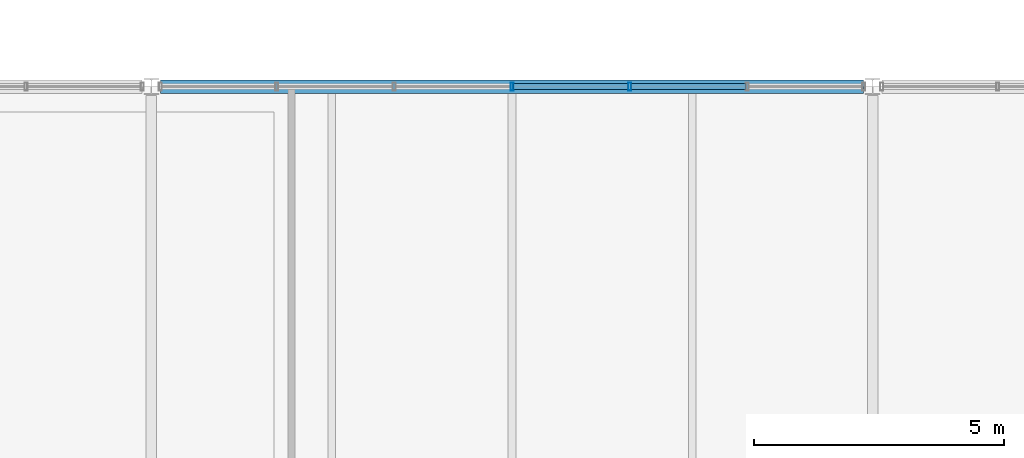
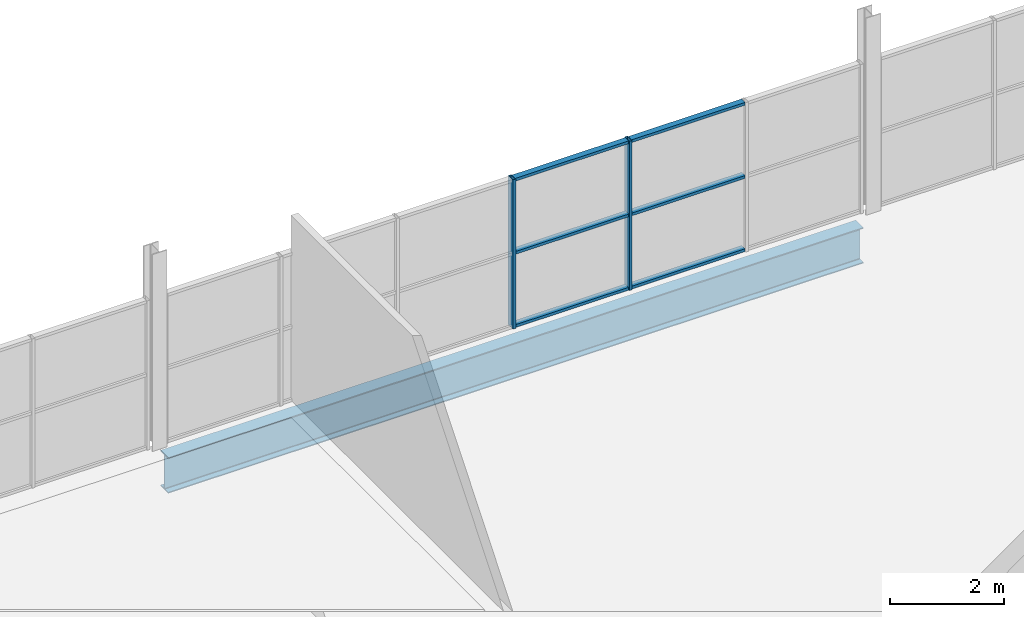
# One storey, part 53 of 93: 8 members, 1 beam, 1 element without a shape of its own.
"""IFC4 building model written with IfcOpenShell, lengths in metres."""

import ifcopenshell
import ifcopenshell.guid

model = None  # the IFC model being written
_history = None  # IfcOwnerHistory: only IFC2X3 demands one
_inside = {}  # id of a spatial element -> (the spatial element, [elements in it])
_under = {}  # id of a project, library or spatial element -> (it, [spatial elements below it])
_declared = {}  # id of a project -> (the project, [libraries it declares])
_typed = {}  # id of a type object -> (the type object, [elements of that type])
_made_of = {}  # id of a material, layer set ... -> (it, [elements and type objects made of it])


def new_model(schema):
    """Start an empty IFC model of exactly this schema.

    Asked for "IFC4X3", IfcOpenShell would pick the latest addendum, in which some entities
    have other attributes; the version numbers below select the first issue.
    IFC2X3 requires an IfcOwnerHistory on every rooted entity: one is made here for all.
    """
    global model, _history
    if schema == "IFC4X3":
        model = ifcopenshell.file(schema_version=(4, 3, 0, 0))
    else:
        model = ifcopenshell.file(schema=schema)
    _inside.clear()
    _under.clear()
    _declared.clear()
    _typed.clear()
    _made_of.clear()
    _history = None
    if model.schema == "IFC2X3":
        org = make("IfcOrganization", Name="unknown")
        user = make(
            "IfcPersonAndOrganization",
            ThePerson=make("IfcPerson", FamilyName="unknown"),
            TheOrganization=org,
        )
        app = make(
            "IfcApplication",
            ApplicationDeveloper=org,
            Version="unknown",
            ApplicationFullName="unknown",
            ApplicationIdentifier="unknown",
        )
        _history = make(
            "IfcOwnerHistory",
            OwningUser=user,
            OwningApplication=app,
            ChangeAction="ADDED",
            CreationDate=0,
        )
    return model


def make(cls, **values):
    """One entity of the class cls with the attributes given. An attribute that is None is left unset."""
    return model.create_entity(
        cls, **{name: value for name, value in values.items() if value is not None}
    )


def rooted(cls, **values):
    """An entity with a GlobalId (a new one), such as an element, a storey or a relation."""
    return make(cls, GlobalId=ifcopenshell.guid.new(), OwnerHistory=_history, **values)


def si_unit(unit_type, name, prefix=None):
    """IfcSIUnit, for example si_unit("LENGTHUNIT", "METRE", prefix="MILLI")."""
    return make("IfcSIUnit", UnitType=unit_type, Prefix=prefix, Name=name)


def assignment(units):
    """IfcUnitAssignment: the units of a project."""
    return None if units is None else make("IfcUnitAssignment", Units=units)


def point(xyz):
    """IfcCartesianPoint."""
    return None if xyz is None else make("IfcCartesianPoint", Coordinates=xyz)


def direction(xyz):
    """IfcDirection."""
    return None if xyz is None else make("IfcDirection", DirectionRatios=xyz)


def frame(location, z_axis=None, x_axis=None):
    """IfcAxis2Placement3D, a coordinate frame: its origin and axes. An axis left out is left unset."""
    return make(
        "IfcAxis2Placement3D",
        Location=point(location),
        Axis=direction(z_axis),
        RefDirection=direction(x_axis),
    )


def frame_2d(location, x_axis=None):
    """IfcAxis2Placement2D, a coordinate frame in the plane: its origin and x axis."""
    return make(
        "IfcAxis2Placement2D", Location=point(location), RefDirection=direction(x_axis)
    )


def origin():
    """The frame at (0, 0, 0) with its axes left unset."""
    return frame((0.0, 0.0, 0.0))


def origin_2d():
    """The frame at (0, 0) in the plane with its x axis left unset."""
    return frame_2d((0.0, 0.0))


def place(relative_to, where):
    """IfcLocalPlacement: puts the frame where relative to a parent placement (None: the world)."""
    return make(
        "IfcLocalPlacement", PlacementRelTo=relative_to, RelativePlacement=where
    )


def context(
    kind, dimensions, precision=None, world=None, true_north=None, identifier=None
):
    """IfcGeometricRepresentationContext, for example the 3D "Model" context."""
    return make(
        "IfcGeometricRepresentationContext",
        ContextIdentifier=identifier,
        ContextType=kind,
        CoordinateSpaceDimension=dimensions,
        Precision=precision,
        WorldCoordinateSystem=world,
        TrueNorth=true_north,
    )


def subcontext(parent, identifier, kind, view, scale=None):
    """IfcGeometricRepresentationSubContext, for example "Body" below "Model"."""
    return make(
        "IfcGeometricRepresentationSubContext",
        ContextIdentifier=identifier,
        ContextType=kind,
        ParentContext=parent,
        TargetScale=scale,
        TargetView=view,
    )


def project(units=None, contexts=None):
    """IfcProject with its units and contexts."""
    return rooted(
        "IfcProject",
        Name="project",
        RepresentationContexts=contexts,
        UnitsInContext=assignment(units),
    )


def spatial(cls, under=None, at=None, **own):
    """A site, building, storey or space (cls), placed at a placement, below another one or the project."""
    s = rooted(cls, ObjectPlacement=at, **own)
    if under is not None:
        _under.setdefault(under.id(), (under, []))[1].append(s)
    return s


def profile(cls, at=None, kind="AREA", **sizes):
    """A parametric profile (cls). Its sizes go by their IFC names, for example OverallWidth=200.0."""
    return make(cls, ProfileType=kind, Position=at, **sizes)


def hollow_rectangle(**sizes):
    """IfcRectangleHollowProfileDef."""
    return profile("IfcRectangleHollowProfileDef", **sizes)


def i_section(**sizes):
    """IfcIShapeProfileDef."""
    return profile("IfcIShapeProfileDef", **sizes)


def extrude(swept, where, along, depth):
    """IfcExtrudedAreaSolid: the profile swept, set in the frame where, extruded along a direction by depth."""
    return make(
        "IfcExtrudedAreaSolid",
        SweptArea=swept,
        Position=where,
        ExtrudedDirection=direction(along),
        Depth=depth,
    )


def shape(context_of_items, identifier, shape_type, items):
    """IfcShapeRepresentation: the items that make up one representation, for example the "Body"."""
    return make(
        "IfcShapeRepresentation",
        ContextOfItems=context_of_items,
        RepresentationIdentifier=identifier,
        RepresentationType=shape_type,
        Items=items,
    )


def material(Name=None, Category=None):
    """IfcMaterial."""
    return make("IfcMaterial", Name=Name, Category=Category)


def material_profile(
    of_material, cross_section, Name=None, Category=None, Priority=None
):
    """IfcMaterialProfile: a cross section and its material."""
    return make(
        "IfcMaterialProfile",
        Name=Name,
        Material=of_material,
        Profile=cross_section,
        Priority=Priority,
        Category=Category,
    )


def profile_set(profiles, Name=None, composite=None):
    """IfcMaterialProfileSet."""
    return make(
        "IfcMaterialProfileSet",
        Name=Name,
        MaterialProfiles=profiles,
        CompositeProfile=composite,
    )


def made_of(thing, what):
    """Note that an element or type object is made of a material, layer set ...; save() writes the relation."""
    if what is not None:
        _made_of.setdefault(what.id(), (what, []))[1].append(thing)
    return thing


def type_object(cls, material=None, **own):
    """A type object (cls), such as IfcWallType, which elements share."""
    return made_of(rooted(cls, **own), material)


def element(
    cls,
    number,
    at=None,
    inside=None,
    cuts=None,
    type_object=None,
    material=None,
    context=None,
    identifier="Body",
    shape_type=None,
    held_by="IfcProductDefinitionShape",
    body=None,
    shapes=None,
    **own,
):
    """One element of the class cls, such as IfcWall. Its Tag is "e" and its number.

    at: its placement. inside: the storey or other place that contains it. cuts: it is an
    opening in that element (IfcRelVoidsElement). A single representation is given by context,
    identifier, shape_type and body (its items); several are given by shapes. held_by: the class
    of the entity that holds the representations. save() writes the other relations.
    """
    e = rooted(cls, Tag="e%d" % number, ObjectPlacement=at, **own)
    if body is not None:
        shapes = [shape(context, identifier, shape_type, body)]
    if shapes is not None:
        e.Representation = make(held_by, Representations=shapes)
    if inside is not None:
        _inside.setdefault(inside.id(), (inside, []))[1].append(e)
    if cuts is not None:
        rooted(
            "IfcRelVoidsElement", RelatingBuildingElement=cuts, RelatedOpeningElement=e
        )
    if type_object is not None:
        _typed.setdefault(type_object.id(), (type_object, []))[1].append(e)
    return made_of(e, material)


def aggregate(whole, parts):
    """IfcRelAggregates: a whole, such as a stair, and the parts it consists of."""
    return rooted("IfcRelAggregates", RelatingObject=whole, RelatedObjects=parts)


def save(model, path):
    """Write the relations noted so far, then the file.

    IfcRelAggregates (storeys below a building ...), IfcRelContainedInSpatialStructure (elements
    in a storey), IfcRelDefinesByType, IfcRelAssociatesMaterial and IfcRelDeclares: one each for
    every whole, place, type object, material and project.
    """
    for whole, parts in _under.values():
        aggregate(whole, parts)
    for where, things in _inside.values():
        rooted(
            "IfcRelContainedInSpatialStructure",
            RelatedElements=things,
            RelatingStructure=where,
        )
    for kind, things in _typed.values():
        rooted("IfcRelDefinesByType", RelatedObjects=things, RelatingType=kind)
    for what, things in _made_of.values():
        rooted("IfcRelAssociatesMaterial", RelatedObjects=things, RelatingMaterial=what)
    for by, libraries in _declared.values():
        rooted("IfcRelDeclares", RelatingContext=by, RelatedDefinitions=libraries)
    model.write(path)


model = new_model("IFC4")

# Units and contexts
model_context = context("Model", 3, precision=1e-05, world=origin(), true_north=direction((0.0, 1.0)))
body_context = subcontext(model_context, "Body", "Model", "MODEL_VIEW")
ifc_project = project(units=[si_unit("LENGTHUNIT", "METRE"), si_unit("AREAUNIT", "SQUARE_METRE"), si_unit("VOLUMEUNIT", "CUBIC_METRE"), si_unit("PLANEANGLEUNIT", "RADIAN"), si_unit("MASSUNIT", "GRAM", prefix="KILO"), si_unit("THERMODYNAMICTEMPERATUREUNIT", "KELVIN")], contexts=[model_context])

# Site, building, storey
site_placement = place(None, origin())
site = spatial("IfcSite", under=ifc_project, at=site_placement, CompositionType="ELEMENT")
building_placement = place(site_placement, origin())
building = spatial("IfcBuilding", under=site, at=building_placement, Name="Nduvali Passage Aquatics Centre", CompositionType="ELEMENT")
storey_placement = place(building_placement, frame((0.0, 0.0, 9.0)))
storey = spatial("IfcBuildingStorey", under=building, at=storey_placement, Name="L02", CompositionType="ELEMENT", Elevation=9.0)

# Curtain wall, members
ifc_material_1 = material(Name="Aluminium EN AW-6063 T6", Category="aluminium")
curtain_wall_type = type_object("IfcCurtainWallType", Name="ENV-CW-WELL", PredefinedType="NOTDEFINED", material=ifc_material_1)
curtain_wall_placement = place(storey_placement, origin())
curtain_wall = element("IfcCurtainWall", 1, at=curtain_wall_placement, inside=storey, type_object=curtain_wall_type, Name="L02 North Avenue Clinic CW 104", PredefinedType="NOTDEFINED")
ifc_material_profile_1 = material_profile(ifc_material_1, hollow_rectangle(XDim=0.06005859375, YDim=0.159912109375, WallThickness=0.00390625, at=origin_2d()), Name="ALU MULLION 60x160x4")
ifc_profile_set_1 = profile_set([ifc_material_profile_1], Name="Aluminium EN AW-6063 T6")
member_type_1 = type_object("IfcMemberType", Name="ENV-MEM-MUL60", PredefinedType="MULLION", material=ifc_profile_set_1)
member_1_placement = place(storey_placement, frame((75.60009765625, 117.60009765625, 0.0), z_axis=(0.0, 0.0, 1.0), x_axis=(1.0, 0.0, 0.0)))
member_1 = element("IfcMember", 2, at=member_1_placement, type_object=member_type_1, Name="North Avenue Clinic CW Mullion 4", PredefinedType="MULLION", context=body_context, shape_type="SweptSolid", body=[
    extrude(hollow_rectangle(XDim=0.06005859375, YDim=0.159912109375, WallThickness=0.00390625, at=origin_2d()), origin(), (0.0, 0.0, 1.0), 3.183837890625),
])
member_2_placement = place(storey_placement, frame((77.949951171875, 117.60009765625, 0.0), z_axis=(0.0, 0.0, 1.0), x_axis=(1.0, 0.0, 0.0)))
member_2 = element("IfcMember", 3, at=member_2_placement, type_object=member_type_1, Name="North Avenue Clinic CW Mullion 5", PredefinedType="MULLION", context=body_context, shape_type="SweptSolid", body=[
    extrude(hollow_rectangle(XDim=0.06005859375, YDim=0.159912109375, WallThickness=0.00390625, at=origin_2d()), origin(), (0.0, 0.0, 1.0), 3.183837890625),
])
ifc_material_profile_2 = material_profile(ifc_material_1, hollow_rectangle(XDim=0.1201171875, YDim=0.06005859375, WallThickness=0.00390625, at=origin_2d()), Name="ALU TRANSOM 120x60x4")
ifc_profile_set_2 = profile_set([ifc_material_profile_2], Name="Aluminium EN AW-6063 T6")
member_type_2 = type_object("IfcMemberType", Name="ENV-MEM-TRN60", PredefinedType="USERDEFINED", material=ifc_profile_set_2)
member_3_placement = place(storey_placement, frame((75.6298828125, 117.60009765625, 0.030029296875), z_axis=(1.0, 0.0, 0.0), x_axis=(0.0, 1.0, 0.0)))
member_3 = element("IfcMember", 4, at=member_3_placement, type_object=member_type_2, Name="North Avenue Clinic CW Transom B4-R0", ObjectType="TRANSOM", PredefinedType="USERDEFINED", context=body_context, shape_type="SweptSolid", body=[
    extrude(hollow_rectangle(XDim=0.1201171875, YDim=0.06005859375, WallThickness=0.00390625, at=origin_2d()), origin(), (0.0, 0.0, 1.0), 2.2900390625),
])
member_4_placement = place(storey_placement, frame((75.6298828125, 117.60009765625, 1.591796875), z_axis=(1.0, 0.0, 0.0), x_axis=(0.0, 1.0, 0.0)))
member_4 = element("IfcMember", 5, at=member_4_placement, type_object=member_type_2, Name="North Avenue Clinic CW Transom B4-R1", ObjectType="TRANSOM", PredefinedType="USERDEFINED", context=body_context, shape_type="SweptSolid", body=[
    extrude(hollow_rectangle(XDim=0.1201171875, YDim=0.06005859375, WallThickness=0.00390625, at=origin_2d()), origin(), (0.0, 0.0, 1.0), 2.2900390625),
])
member_5_placement = place(storey_placement, frame((75.6298828125, 117.60009765625, 3.15380859375), z_axis=(1.0, 0.0, 0.0), x_axis=(0.0, 1.0, 0.0)))
member_5 = element("IfcMember", 6, at=member_5_placement, type_object=member_type_2, Name="North Avenue Clinic CW Transom B4-R2", ObjectType="TRANSOM", PredefinedType="USERDEFINED", context=body_context, shape_type="SweptSolid", body=[
    extrude(hollow_rectangle(XDim=0.1201171875, YDim=0.06005859375, WallThickness=0.00390625, at=origin_2d()), origin(), (0.0, 0.0, 1.0), 2.2900390625),
])
member_6_placement = place(storey_placement, frame((77.97998046875, 117.60009765625, 0.030029296875), z_axis=(1.0, 0.0, 0.0), x_axis=(0.0, 1.0, 0.0)))
member_6 = element("IfcMember", 7, at=member_6_placement, type_object=member_type_2, Name="North Avenue Clinic CW Transom B5-R0", ObjectType="TRANSOM", PredefinedType="USERDEFINED", context=body_context, shape_type="SweptSolid", body=[
    extrude(hollow_rectangle(XDim=0.1201171875, YDim=0.06005859375, WallThickness=0.00390625, at=origin_2d()), origin(), (0.0, 0.0, 1.0), 2.2900390625),
])
member_7_placement = place(storey_placement, frame((77.97998046875, 117.60009765625, 1.591796875), z_axis=(1.0, 0.0, 0.0), x_axis=(0.0, 1.0, 0.0)))
member_7 = element("IfcMember", 8, at=member_7_placement, type_object=member_type_2, Name="North Avenue Clinic CW Transom B5-R1", ObjectType="TRANSOM", PredefinedType="USERDEFINED", context=body_context, shape_type="SweptSolid", body=[
    extrude(hollow_rectangle(XDim=0.1201171875, YDim=0.06005859375, WallThickness=0.00390625, at=origin_2d()), origin(), (0.0, 0.0, 1.0), 2.2900390625),
])
member_8_placement = place(storey_placement, frame((77.97998046875, 117.60009765625, 3.15380859375), z_axis=(1.0, 0.0, 0.0), x_axis=(0.0, 1.0, 0.0)))
member_8 = element("IfcMember", 9, at=member_8_placement, type_object=member_type_2, Name="North Avenue Clinic CW Transom B5-R2", ObjectType="TRANSOM", PredefinedType="USERDEFINED", context=body_context, shape_type="SweptSolid", body=[
    extrude(hollow_rectangle(XDim=0.1201171875, YDim=0.06005859375, WallThickness=0.00390625, at=origin_2d()), origin(), (0.0, 0.0, 1.0), 2.2900390625),
])
aggregate(curtain_wall, [member_1, member_2, member_3, member_4, member_5, member_6, member_7, member_8])

# Beam
ifc_material_2 = material(Name="Steel S355", Category="steel")
ifc_material_profile_3 = material_profile(ifc_material_2, i_section(OverallWidth=0.2666015625, OverallDepth=0.76220703125, WebThickness=0.014404296875, FlangeThickness=0.021484375, FilletRadius=0.0166015625, at=origin_2d()), Name="UKB 762x267x173")
ifc_profile_set_3 = profile_set([ifc_material_profile_3], Name="Steel S355")
beam_type = type_object("IfcBeamType", Name="STR-BM-UKB762-EXT", PredefinedType="BEAM", material=ifc_profile_set_3)
beam_placement = place(storey_placement, frame((68.585205078125, 117.60009765625, -0.64501953125), z_axis=(1.0, 0.0, 0.0), x_axis=(0.0, 1.0, 0.0)))
element("IfcBeam", 10, at=beam_placement, inside=storey, type_object=beam_type, Name="L02 Primary X-Girder B4CE-0946", PredefinedType="BEAM", context=body_context, shape_type="SweptSolid", body=[
    extrude(i_section(OverallWidth=0.2666015625, OverallDepth=0.76220703125, WebThickness=0.014404296875, FlangeThickness=0.021484375, FilletRadius=0.0166015625, at=origin_2d()), origin(), (0.0, 0.0, 1.0), 14.029541015625),
])

save(model, "model.ifc")
